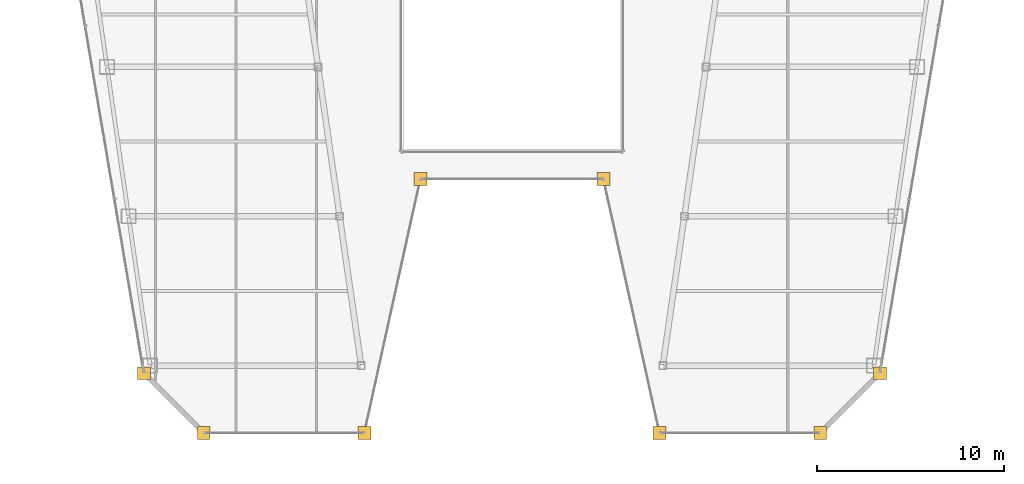
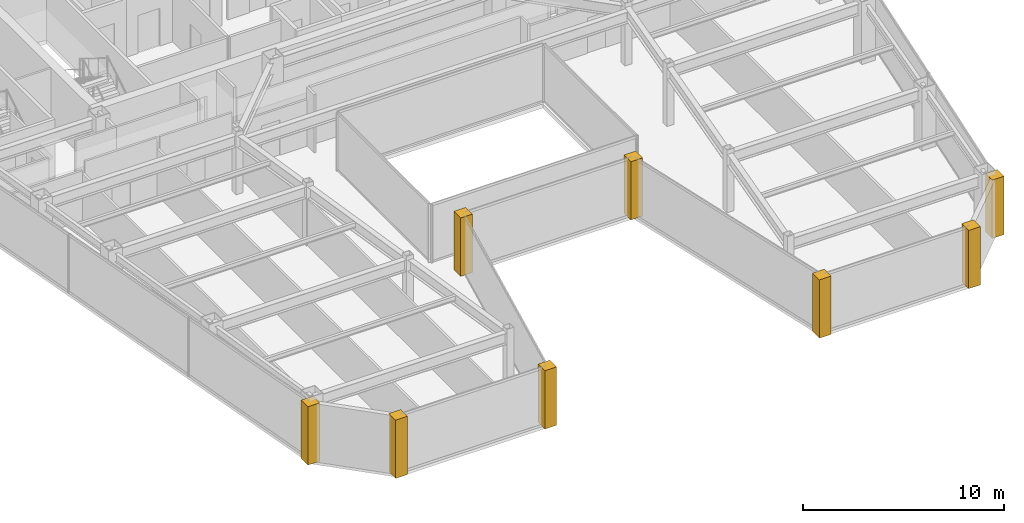
# One storey, part 33 of 36: 8 coverings.
"""IFC4 building model written with IfcOpenShell, lengths in metres."""

import ifcopenshell
import ifcopenshell.guid

model = None  # the IFC model being written
_history = None  # IfcOwnerHistory: only IFC2X3 demands one
_inside = {}  # id of a spatial element -> (the spatial element, [elements in it])
_under = {}  # id of a project, library or spatial element -> (it, [spatial elements below it])
_declared = {}  # id of a project -> (the project, [libraries it declares])
_typed = {}  # id of a type object -> (the type object, [elements of that type])
_made_of = {}  # id of a material, layer set ... -> (it, [elements and type objects made of it])


def new_model(schema):
    """Start an empty IFC model of exactly this schema.

    Asked for "IFC4X3", IfcOpenShell would pick the latest addendum, in which some entities
    have other attributes; the version numbers below select the first issue.
    IFC2X3 requires an IfcOwnerHistory on every rooted entity: one is made here for all.
    """
    global model, _history
    if schema == "IFC4X3":
        model = ifcopenshell.file(schema_version=(4, 3, 0, 0))
    else:
        model = ifcopenshell.file(schema=schema)
    _inside.clear()
    _under.clear()
    _declared.clear()
    _typed.clear()
    _made_of.clear()
    _history = None
    if model.schema == "IFC2X3":
        org = make("IfcOrganization", Name="unknown")
        user = make(
            "IfcPersonAndOrganization",
            ThePerson=make("IfcPerson", FamilyName="unknown"),
            TheOrganization=org,
        )
        app = make(
            "IfcApplication",
            ApplicationDeveloper=org,
            Version="unknown",
            ApplicationFullName="unknown",
            ApplicationIdentifier="unknown",
        )
        _history = make(
            "IfcOwnerHistory",
            OwningUser=user,
            OwningApplication=app,
            ChangeAction="ADDED",
            CreationDate=0,
        )
    return model


def make(cls, **values):
    """One entity of the class cls with the attributes given. An attribute that is None is left unset."""
    return model.create_entity(
        cls, **{name: value for name, value in values.items() if value is not None}
    )


def rooted(cls, **values):
    """An entity with a GlobalId (a new one), such as an element, a storey or a relation."""
    return make(cls, GlobalId=ifcopenshell.guid.new(), OwnerHistory=_history, **values)


def si_unit(unit_type, name, prefix=None):
    """IfcSIUnit, for example si_unit("LENGTHUNIT", "METRE", prefix="MILLI")."""
    return make("IfcSIUnit", UnitType=unit_type, Prefix=prefix, Name=name)


def assignment(units):
    """IfcUnitAssignment: the units of a project."""
    return None if units is None else make("IfcUnitAssignment", Units=units)


def point(xyz):
    """IfcCartesianPoint."""
    return None if xyz is None else make("IfcCartesianPoint", Coordinates=xyz)


def direction(xyz):
    """IfcDirection."""
    return None if xyz is None else make("IfcDirection", DirectionRatios=xyz)


def frame(location, z_axis=None, x_axis=None):
    """IfcAxis2Placement3D, a coordinate frame: its origin and axes. An axis left out is left unset."""
    return make(
        "IfcAxis2Placement3D",
        Location=point(location),
        Axis=direction(z_axis),
        RefDirection=direction(x_axis),
    )


def origin():
    """The frame at (0, 0, 0) with its axes left unset."""
    return frame((0.0, 0.0, 0.0))


def place(relative_to, where):
    """IfcLocalPlacement: puts the frame where relative to a parent placement (None: the world)."""
    return make(
        "IfcLocalPlacement", PlacementRelTo=relative_to, RelativePlacement=where
    )


def context(
    kind, dimensions, precision=None, world=None, true_north=None, identifier=None
):
    """IfcGeometricRepresentationContext, for example the 3D "Model" context."""
    return make(
        "IfcGeometricRepresentationContext",
        ContextIdentifier=identifier,
        ContextType=kind,
        CoordinateSpaceDimension=dimensions,
        Precision=precision,
        WorldCoordinateSystem=world,
        TrueNorth=true_north,
    )


def subcontext(parent, identifier, kind, view, scale=None):
    """IfcGeometricRepresentationSubContext, for example "Body" below "Model"."""
    return make(
        "IfcGeometricRepresentationSubContext",
        ContextIdentifier=identifier,
        ContextType=kind,
        ParentContext=parent,
        TargetScale=scale,
        TargetView=view,
    )


def project(units=None, contexts=None):
    """IfcProject with its units and contexts."""
    return rooted(
        "IfcProject",
        Name="project",
        RepresentationContexts=contexts,
        UnitsInContext=assignment(units),
    )


def spatial(cls, under=None, at=None, **own):
    """A site, building, storey or space (cls), placed at a placement, below another one or the project."""
    s = rooted(cls, ObjectPlacement=at, **own)
    if under is not None:
        _under.setdefault(under.id(), (under, []))[1].append(s)
    return s


def polyline(points):
    """IfcPolyline through the points."""
    return make("IfcPolyline", Points=[point(p) for p in points])


def outline(outer, holes=None, kind="AREA"):
    """IfcArbitraryClosedProfileDef: a profile drawn as a closed curve; with holes, ...WithVoids."""
    if holes is None:
        return make("IfcArbitraryClosedProfileDef", ProfileType=kind, OuterCurve=outer)
    return make(
        "IfcArbitraryProfileDefWithVoids",
        ProfileType=kind,
        OuterCurve=outer,
        InnerCurves=holes,
    )


def extrude(swept, where, along, depth):
    """IfcExtrudedAreaSolid: the profile swept, set in the frame where, extruded along a direction by depth."""
    return make(
        "IfcExtrudedAreaSolid",
        SweptArea=swept,
        Position=where,
        ExtrudedDirection=direction(along),
        Depth=depth,
    )


def shape(context_of_items, identifier, shape_type, items):
    """IfcShapeRepresentation: the items that make up one representation, for example the "Body"."""
    return make(
        "IfcShapeRepresentation",
        ContextOfItems=context_of_items,
        RepresentationIdentifier=identifier,
        RepresentationType=shape_type,
        Items=items,
    )


def material(Name=None, Category=None):
    """IfcMaterial."""
    return make("IfcMaterial", Name=Name, Category=Category)


def layer(
    of_material, thickness, ventilated=None, Name=None, Category=None, Priority=None
):
    """IfcMaterialLayer: one layer of a wall or slab, of a material (None: an air gap)."""
    return make(
        "IfcMaterialLayer",
        Material=of_material,
        LayerThickness=thickness,
        IsVentilated=ventilated,
        Name=Name,
        Category=Category,
        Priority=Priority,
    )


def layer_set(layers, Name=None):
    """IfcMaterialLayerSet."""
    return make("IfcMaterialLayerSet", MaterialLayers=layers, LayerSetName=Name)


def made_of(thing, what):
    """Note that an element or type object is made of a material, layer set ...; save() writes the relation."""
    if what is not None:
        _made_of.setdefault(what.id(), (what, []))[1].append(thing)
    return thing


def type_object(cls, material=None, **own):
    """A type object (cls), such as IfcWallType, which elements share."""
    return made_of(rooted(cls, **own), material)


def element(
    cls,
    number,
    at=None,
    inside=None,
    cuts=None,
    type_object=None,
    material=None,
    context=None,
    identifier="Body",
    shape_type=None,
    held_by="IfcProductDefinitionShape",
    body=None,
    shapes=None,
    **own,
):
    """One element of the class cls, such as IfcWall. Its Tag is "e" and its number.

    at: its placement. inside: the storey or other place that contains it. cuts: it is an
    opening in that element (IfcRelVoidsElement). A single representation is given by context,
    identifier, shape_type and body (its items); several are given by shapes. held_by: the class
    of the entity that holds the representations. save() writes the other relations.
    """
    e = rooted(cls, Tag="e%d" % number, ObjectPlacement=at, **own)
    if body is not None:
        shapes = [shape(context, identifier, shape_type, body)]
    if shapes is not None:
        e.Representation = make(held_by, Representations=shapes)
    if inside is not None:
        _inside.setdefault(inside.id(), (inside, []))[1].append(e)
    if cuts is not None:
        rooted(
            "IfcRelVoidsElement", RelatingBuildingElement=cuts, RelatedOpeningElement=e
        )
    if type_object is not None:
        _typed.setdefault(type_object.id(), (type_object, []))[1].append(e)
    return made_of(e, material)


def aggregate(whole, parts):
    """IfcRelAggregates: a whole, such as a stair, and the parts it consists of."""
    return rooted("IfcRelAggregates", RelatingObject=whole, RelatedObjects=parts)


def save(model, path):
    """Write the relations noted so far, then the file.

    IfcRelAggregates (storeys below a building ...), IfcRelContainedInSpatialStructure (elements
    in a storey), IfcRelDefinesByType, IfcRelAssociatesMaterial and IfcRelDeclares: one each for
    every whole, place, type object, material and project.
    """
    for whole, parts in _under.values():
        aggregate(whole, parts)
    for where, things in _inside.values():
        rooted(
            "IfcRelContainedInSpatialStructure",
            RelatedElements=things,
            RelatingStructure=where,
        )
    for kind, things in _typed.values():
        rooted("IfcRelDefinesByType", RelatedObjects=things, RelatingType=kind)
    for what, things in _made_of.values():
        rooted("IfcRelAssociatesMaterial", RelatedObjects=things, RelatingMaterial=what)
    for by, libraries in _declared.values():
        rooted("IfcRelDeclares", RelatingContext=by, RelatedDefinitions=libraries)
    model.write(path)


model = new_model("IFC4")

# Units and contexts
model_context = context("Model", 3, precision=1e-05, world=origin(), true_north=direction((0.0, 1.0)))
body_context = subcontext(model_context, "Body", "Model", "MODEL_VIEW")
ifc_project = project(units=[si_unit("LENGTHUNIT", "METRE"), si_unit("AREAUNIT", "SQUARE_METRE"), si_unit("VOLUMEUNIT", "CUBIC_METRE"), si_unit("PLANEANGLEUNIT", "RADIAN"), si_unit("MASSUNIT", "GRAM", prefix="KILO")], contexts=[model_context])

# Site, building, storey
site_placement = place(None, origin())
site = spatial("IfcSite", under=ifc_project, at=site_placement, CompositionType="ELEMENT")
building_placement = place(site_placement, origin())
building = spatial("IfcBuilding", under=site, at=building_placement, Name="Saevonmaru Cultural Tower", CompositionType="ELEMENT")
storey_placement = place(building_placement, frame((0.0, 0.0, 198.0)))
storey = spatial("IfcBuildingStorey", under=building, at=storey_placement, Name="L45", CompositionType="ELEMENT", Elevation=198.0)

# Coverings
ifc_material = material(Name="Satin Bronze Anodised Aluminium", Category="aluminium")
ifc_layer = layer(ifc_material, 0.679931640625, Name="Satin Bronze Anodised Aluminium")
ifc_layer_set = layer_set([ifc_layer], Name="Satin Bronze Anodised Aluminium")
covering_type = type_object("IfcCoveringType", Name="CV-CORNER-CLAD", PredefinedType="CLADDING", material=ifc_layer_set)
covering_1_placement = place(storey_placement, origin())
element("IfcCovering", 1, at=covering_1_placement, inside=storey, type_object=covering_type, Name="L45 Tower Bronze Corner Cladding Pier 1", PredefinedType="CLADDING", context=body_context, shape_type="SweptSolid", body=[
    extrude(outline(polyline([(9.9580078125, 15.260009765625), (10.637939453125, 15.260009765625), (10.637939453125, 15.93994140625), (9.9580078125, 15.93994140625), (9.9580078125, 15.260009765625)])), origin(), (0.0, 0.0, 1.0), 3.550048828125),
])
covering_2_placement = place(storey_placement, origin())
element("IfcCovering", 2, at=covering_2_placement, inside=storey, type_object=covering_type, Name="L45 Tower Bronze Corner Cladding Pier 2", PredefinedType="CLADDING", context=body_context, shape_type="SweptSolid", body=[
    extrude(outline(polyline([(13.157958984375, 12.06005859375), (13.837890625, 12.06005859375), (13.837890625, 12.739990234375), (13.157958984375, 12.739990234375), (13.157958984375, 12.06005859375)])), origin(), (0.0, 0.0, 1.0), 3.550048828125),
])
covering_3_placement = place(storey_placement, origin())
element("IfcCovering", 3, at=covering_3_placement, inside=storey, type_object=covering_type, Name="L45 Tower Bronze Corner Cladding Pier 3", PredefinedType="CLADDING", context=body_context, shape_type="SweptSolid", body=[
    extrude(outline(polyline([(21.758056640625, 12.06005859375), (22.43798828125, 12.06005859375), (22.43798828125, 12.739990234375), (21.758056640625, 12.739990234375), (21.758056640625, 12.06005859375)])), origin(), (0.0, 0.0, 1.0), 3.550048828125),
])
covering_4_placement = place(storey_placement, origin())
element("IfcCovering", 4, at=covering_4_placement, inside=storey, type_object=covering_type, Name="L45 Tower Bronze Corner Cladding Pier 4", PredefinedType="CLADDING", context=body_context, shape_type="SweptSolid", body=[
    extrude(outline(polyline([(24.758056640625, 25.659912109375), (25.43798828125, 25.659912109375), (25.43798828125, 26.340087890625), (24.758056640625, 26.340087890625), (24.758056640625, 25.659912109375)])), origin(), (0.0, 0.0, 1.0), 3.550048828125),
])
covering_5_placement = place(storey_placement, origin())
element("IfcCovering", 5, at=covering_5_placement, inside=storey, type_object=covering_type, Name="L45 Tower Bronze Corner Cladding Pier 5", PredefinedType="CLADDING", context=body_context, shape_type="SweptSolid", body=[
    extrude(outline(polyline([(34.56201171875, 25.659912109375), (35.241943359375, 25.659912109375), (35.241943359375, 26.340087890625), (34.56201171875, 26.340087890625), (34.56201171875, 25.659912109375)])), origin(), (0.0, 0.0, 1.0), 3.550048828125),
])
covering_6_placement = place(storey_placement, origin())
element("IfcCovering", 6, at=covering_6_placement, inside=storey, type_object=covering_type, Name="L45 Tower Bronze Corner Cladding Pier 6", PredefinedType="CLADDING", context=body_context, shape_type="SweptSolid", body=[
    extrude(outline(polyline([(37.56201171875, 12.06005859375), (38.241943359375, 12.06005859375), (38.241943359375, 12.739990234375), (37.56201171875, 12.739990234375), (37.56201171875, 12.06005859375)])), origin(), (0.0, 0.0, 1.0), 3.550048828125),
])
covering_7_placement = place(storey_placement, origin())
element("IfcCovering", 7, at=covering_7_placement, inside=storey, type_object=covering_type, Name="L45 Tower Bronze Corner Cladding Pier 7", PredefinedType="CLADDING", context=body_context, shape_type="SweptSolid", body=[
    extrude(outline(polyline([(46.162109375, 12.06005859375), (46.842041015625, 12.06005859375), (46.842041015625, 12.739990234375), (46.162109375, 12.739990234375), (46.162109375, 12.06005859375)])), origin(), (0.0, 0.0, 1.0), 3.550048828125),
])
covering_8_placement = place(storey_placement, origin())
element("IfcCovering", 8, at=covering_8_placement, inside=storey, type_object=covering_type, Name="L45 Tower Bronze Corner Cladding Pier 8", PredefinedType="CLADDING", context=body_context, shape_type="SweptSolid", body=[
    extrude(outline(polyline([(49.362060546875, 15.260009765625), (50.0419921875, 15.260009765625), (50.0419921875, 15.93994140625), (49.362060546875, 15.93994140625), (49.362060546875, 15.260009765625)])), origin(), (0.0, 0.0, 1.0), 3.550048828125),
])

save(model, "model.ifc")
